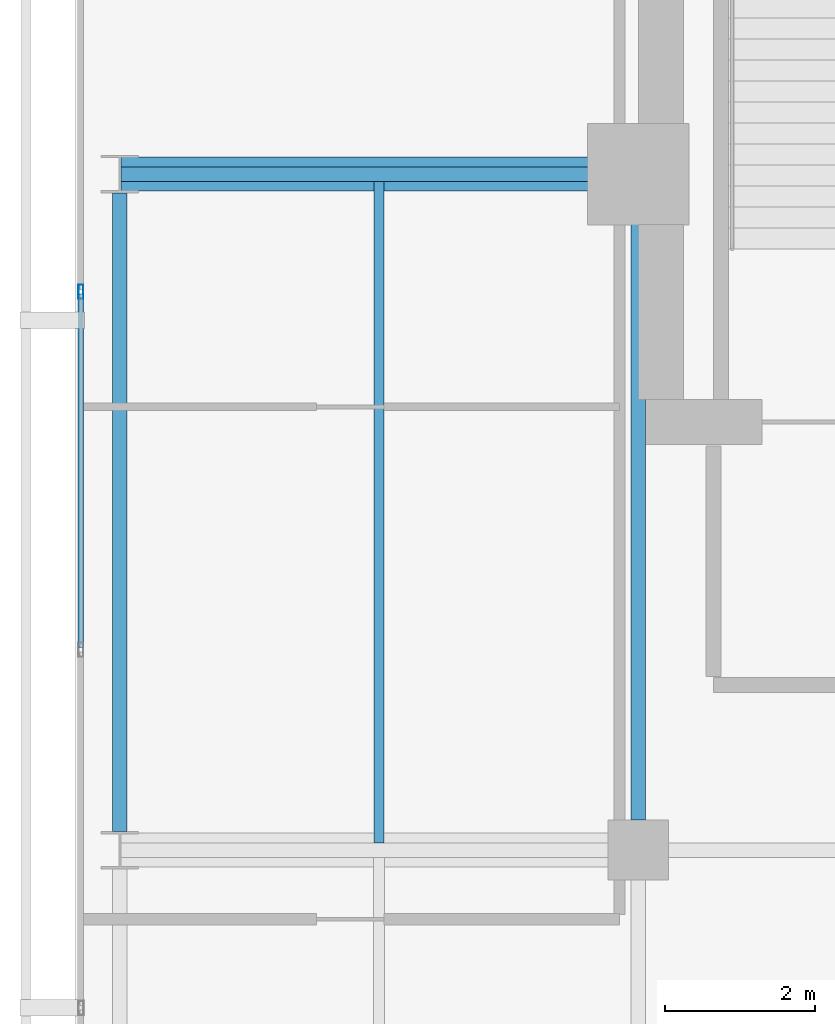
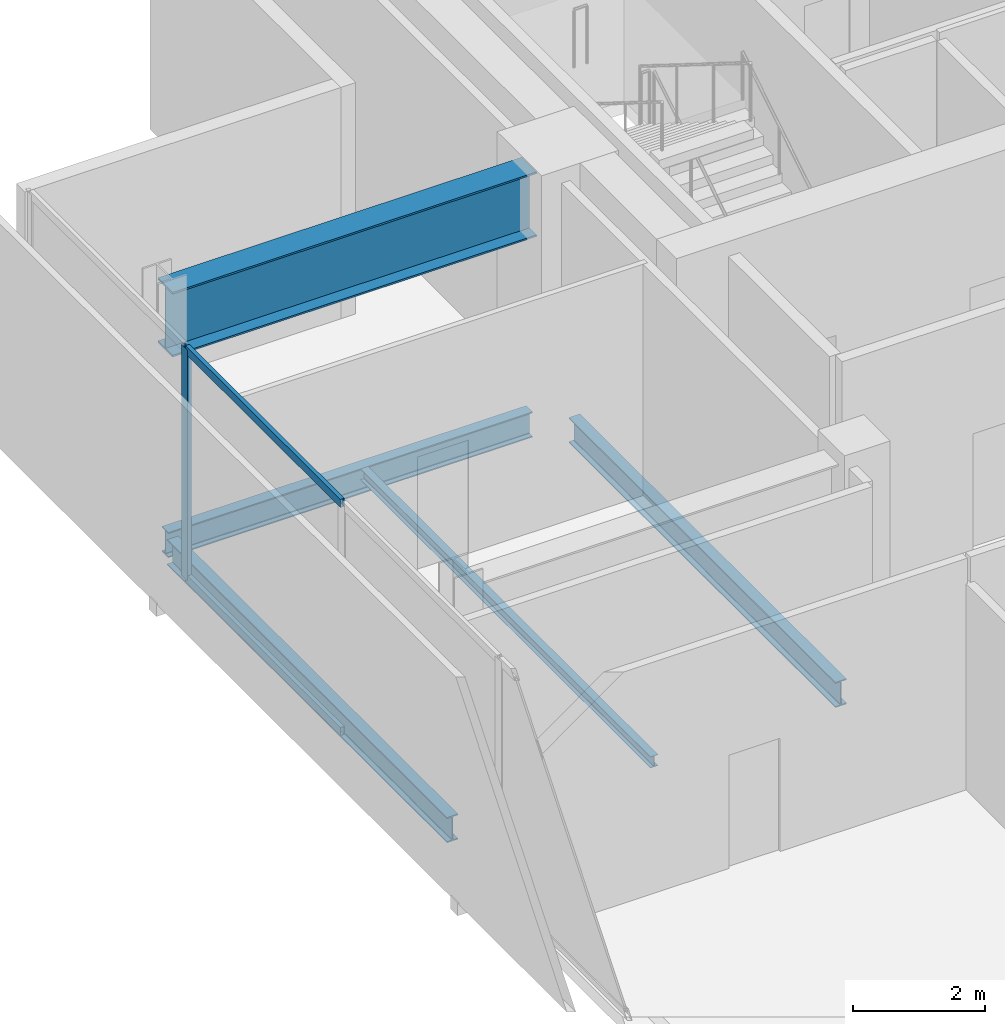
# One storey, part 9 of 23: 5 beams, 3 members, 1 element without a shape of its own.
"""IFC4 building model written with IfcOpenShell, lengths in metres."""

from ifc_helpers import new_model, si_unit, direction, frame, origin, origin_2d, place, context, subcontext, project, spatial, hollow_rectangle, i_section, extrude, material, layer, layer_set, material_profile, profile_set, type_object, element, aggregate, save


model = new_model("IFC4")

# Units and contexts
model_context = context("Model", 3, precision=1e-05, world=origin(), true_north=direction((0.0, 1.0)))
body_context = subcontext(model_context, "Body", "Model", "MODEL_VIEW")
ifc_project = project(units=[si_unit("LENGTHUNIT", "METRE"), si_unit("AREAUNIT", "SQUARE_METRE"), si_unit("VOLUMEUNIT", "CUBIC_METRE"), si_unit("PLANEANGLEUNIT", "RADIAN"), si_unit("MASSUNIT", "GRAM", prefix="KILO")], contexts=[model_context])

# Site, building, storey
site_placement = place(None, origin())
site = spatial("IfcSite", under=ifc_project, at=site_placement, CompositionType="ELEMENT")
building_placement = place(site_placement, origin())
building = spatial("IfcBuilding", under=site, at=building_placement, Name="Maruvema Waterfront Hotel and Observation Tower", CompositionType="ELEMENT")
storey_placement = place(building_placement, frame((0.0, 0.0, 349.64990234375)))
storey = spatial("IfcBuildingStorey", under=building, at=storey_placement, Name="L86", CompositionType="ELEMENT", Elevation=349.64990234375)

# Curtain wall, members
ifc_material_1 = material(Name="Anodised bronze aluminium and solar-control low-E IGU", Category="aluminium")
ifc_layer = layer(ifc_material_1, 0.159912109375, Name="Observation Crown Structural Glazed Curtain Wall System CW-06")
ifc_layer_set = layer_set([ifc_layer], Name="Anodised bronze aluminium and solar-control low-E IGU")
curtain_wall_type = type_object("IfcCurtainWallType", Name="Observation Crown Structural Glazed Curtain Wall System CW-06", PredefinedType="USERDEFINED", material=ifc_layer_set)
curtain_wall_placement = place(storey_placement, origin())
curtain_wall = element("IfcCurtainWall", 1, at=curtain_wall_placement, inside=storey, type_object=curtain_wall_type, Name="L86 Curtain Wall CW-L86-W", ObjectType="UNITISED CURTAIN WALL", PredefinedType="USERDEFINED")
ifc_material_2 = material(Name="Anodised architectural bronze aluminium", Category="aluminium")
ifc_material_profile_1 = material_profile(ifc_material_2, hollow_rectangle(XDim=0.070068359375, YDim=0.14990234375, WallThickness=0.00390625, at=origin_2d()), Name="ALU-T70x150")
ifc_profile_set_1 = profile_set([ifc_material_profile_1], Name="Anodised architectural bronze aluminium")
member_type_1 = type_object("IfcMemberType", Name="Curtain Wall Horizontal Transom ALU-T70x150", PredefinedType="USERDEFINED", material=ifc_profile_set_1)
member_1_placement = place(storey_placement, frame((17.780029296875, 43.4033203125, 0.030029296875), z_axis=(0.0, -1.0, 0.0), x_axis=(1.0, 0.0, 0.0)))
member_1 = element("IfcMember", 2, at=member_1_placement, type_object=member_type_1, Name="CW-06 transom 2.1", ObjectType="TRANSOM", PredefinedType="USERDEFINED", context=body_context, shape_type="SweptSolid", body=[
    extrude(hollow_rectangle(XDim=0.070068359375, YDim=0.14990234375, WallThickness=0.00390625, at=origin_2d()), origin(), (0.0, 0.0, 1.0), 4.70654296875),
])
member_2_placement = place(storey_placement, frame((17.780029296875, 43.4033203125, 4.260009765625), z_axis=(0.0, -1.0, 0.0), x_axis=(1.0, 0.0, 0.0)))
member_2 = element("IfcMember", 3, at=member_2_placement, type_object=member_type_1, Name="CW-06 transom 2.2", ObjectType="TRANSOM", PredefinedType="USERDEFINED", context=body_context, shape_type="SweptSolid", body=[
    extrude(hollow_rectangle(XDim=0.070068359375, YDim=0.14990234375, WallThickness=0.00390625, at=origin_2d()), origin(), (0.0, 0.0, 1.0), 4.70654296875),
])
ifc_material_3 = material(Name="Anodised architectural bronze aluminium", Category="aluminium")
ifc_material_profile_2 = material_profile(ifc_material_3, hollow_rectangle(XDim=0.070068359375, YDim=0.18994140625, WallThickness=0.00390625, at=origin_2d()), Name="ALU-M70x190")
ifc_profile_set_2 = profile_set([ifc_material_profile_2], Name="Anodised architectural bronze aluminium")
member_type_2 = type_object("IfcMemberType", Name="Podium Storefront Heavy Mullion ALU-M70x190", PredefinedType="MULLION", material=ifc_profile_set_2)
member_3_placement = place(storey_placement, frame((17.780029296875, 43.433349609375, 0.0), z_axis=(0.0, 0.0, 1.0), x_axis=(1.0, 0.0, 0.0)))
member_3 = element("IfcMember", 4, at=member_3_placement, type_object=member_type_2, Name="CW-06 mullion 2", PredefinedType="MULLION", context=body_context, shape_type="SweptSolid", body=[
    extrude(hollow_rectangle(XDim=0.070068359375, YDim=0.18994140625, WallThickness=0.00390625, at=origin_2d()), origin(), (0.0, 0.0, 1.0), 4.2900390625),
])
aggregate(curtain_wall, [member_3, member_1, member_2])

# Beams
ifc_material_4 = material(Name="Steel ASTM A572 Grade 50", Category="steel")
ifc_material_profile_3 = material_profile(ifc_material_4, i_section(OverallWidth=0.194091796875, OverallDepth=0.468994140625, WebThickness=0.0126953125, FlangeThickness=0.0205078125, FilletRadius=0.014892578125, at=origin_2d()), Name="W460x106.0")
ifc_profile_set_3 = profile_set([ifc_material_profile_3], Name="Steel ASTM A572 Grade 50")
beam_type_1 = type_object("IfcBeamType", Name="Primary Floor Girder W460x106.0", PredefinedType="BEAM", material=ifc_profile_set_3)
beam_1_placement = place(storey_placement, frame((18.31103515625, 45.0, -0.474365234375), z_axis=(1.0, 0.0, 0.0), x_axis=(0.0, 1.0, 0.0)))
element("IfcBeam", 5, at=beam_1_placement, inside=storey, type_object=beam_type_1, Name="L86 Floor Girder EW-15", PredefinedType="BEAM", context=body_context, shape_type="SweptSolid", body=[
    extrude(i_section(OverallWidth=0.194091796875, OverallDepth=0.468994140625, WebThickness=0.0126953125, FlangeThickness=0.0205078125, FilletRadius=0.014892578125, at=origin_2d()), origin(), (0.0, 0.0, 1.0), 6.388916015625),
])
beam_2_placement = place(storey_placement, frame((18.300048828125, 36.25, -0.474365234375), z_axis=(0.0, 1.0, 0.0), x_axis=(-1.0, 0.0, 0.0)))
element("IfcBeam", 6, at=beam_2_placement, inside=storey, type_object=beam_type_1, Name="L86 Floor Girder NS-02", PredefinedType="BEAM", context=body_context, shape_type="SweptSolid", body=[
    extrude(i_section(OverallWidth=0.194091796875, OverallDepth=0.468994140625, WebThickness=0.0126953125, FlangeThickness=0.0205078125, FilletRadius=0.014892578125, at=origin_2d()), origin(), (0.0, 0.0, 1.0), 8.5),
])
beam_3_placement = place(storey_placement, frame((25.199951171875, 36.39990234375, -0.474365234375), z_axis=(0.0, 1.0, 0.0), x_axis=(-1.0, 0.0, 0.0)))
element("IfcBeam", 7, at=beam_3_placement, inside=storey, type_object=beam_type_1, Name="L86 Floor Girder NS-06", PredefinedType="BEAM", context=body_context, shape_type="SweptSolid", body=[
    extrude(i_section(OverallWidth=0.194091796875, OverallDepth=0.468994140625, WebThickness=0.0126953125, FlangeThickness=0.0205078125, FilletRadius=0.014892578125, at=origin_2d()), origin(), (0.0, 0.0, 1.0), 8.10009765625),
])
ifc_material_5 = material(Name="Steel ASTM A572 Grade 50", Category="steel")
ifc_material_profile_4 = material_profile(ifc_material_5, i_section(OverallWidth=0.133056640625, OverallDepth=0.20703125, WebThickness=0.005859375, FlangeThickness=0.00830078125, FilletRadius=0.010009765625, at=origin_2d()), Name="W200x26.6")
ifc_profile_set_4 = profile_set([ifc_material_profile_4], Name="Steel ASTM A572 Grade 50")
beam_type_2 = type_object("IfcBeamType", Name="Secondary Floor Joist W200x26.6", PredefinedType="JOIST", material=ifc_profile_set_4)
beam_4_placement = place(storey_placement, frame((21.75, 36.096923828125, -0.343505859375), z_axis=(0.0, 1.0, 0.0), x_axis=(-1.0, 0.0, 0.0)))
element("IfcBeam", 8, at=beam_4_placement, inside=storey, type_object=beam_type_2, Name="L86 Secondary Floor Joist JS-02", PredefinedType="JOIST", context=body_context, shape_type="SweptSolid", body=[
    extrude(i_section(OverallWidth=0.133056640625, OverallDepth=0.20703125, WebThickness=0.005859375, FlangeThickness=0.00830078125, FilletRadius=0.010009765625, at=origin_2d()), origin(), (0.0, 0.0, 1.0), 8.80615234375),
])
ifc_material_6 = material(Name="Steel ABNT NBR 7007 AR 415 (ASTM A572 Grade 50)", Category="steel")
ifc_material_profile_5 = material_profile(ifc_material_6, i_section(OverallWidth=0.449951171875, OverallDepth=1.199951171875, WebThickness=0.01904296875, FlangeThickness=0.031982421875, at=origin_2d()), Name="VS1200x366")
ifc_profile_set_5 = profile_set([ifc_material_profile_5], Name="Steel ABNT NBR 7007 AR 415 (ASTM A572 Grade 50)")
beam_type_3 = type_object("IfcBeamType", Name="Upper Setback Transfer Girder VS1200x366", PredefinedType="USERDEFINED", material=ifc_profile_set_5)
beam_5_placement = place(storey_placement, frame((18.31103515625, 45.0, 3.690185546875), z_axis=(1.0, 0.0, 0.0), x_axis=(0.0, 1.0, 0.0)))
element("IfcBeam", 9, at=beam_5_placement, inside=storey, type_object=beam_type_3, Name="L86 Upper Setback Transfer Girder W Y=45.0m", ObjectType="TRANSFER GIRDER", PredefinedType="USERDEFINED", context=body_context, shape_type="SweptSolid", body=[
    extrude(i_section(OverallWidth=0.449951171875, OverallDepth=1.199951171875, WebThickness=0.01904296875, FlangeThickness=0.031982421875, at=origin_2d()), origin(), (0.0, 0.0, 1.0), 6.388916015625),
])

save(model, "model.ifc")
